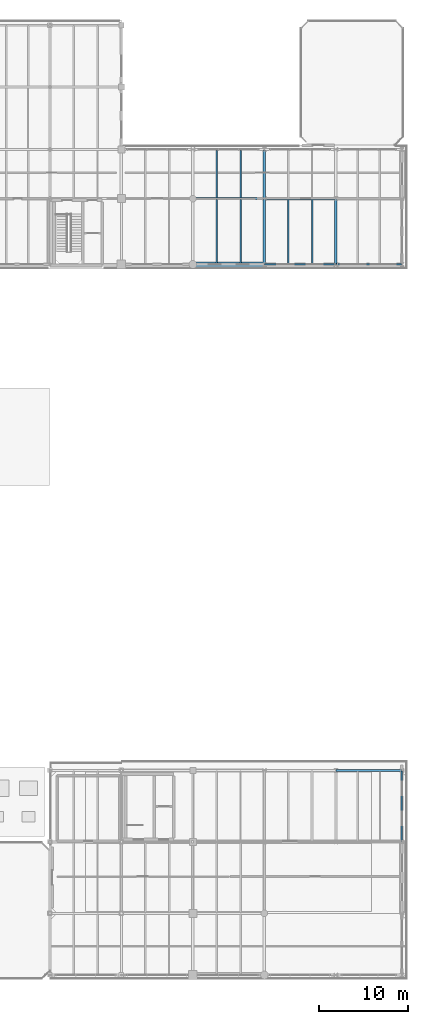
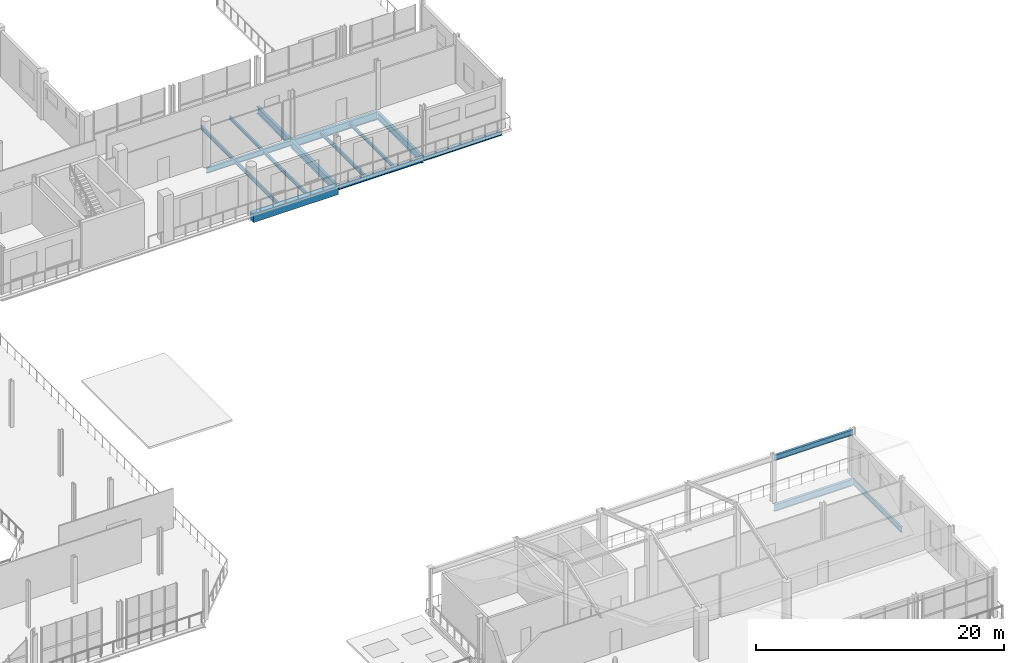
# One storey, part 26 of 51: 17 beams.
"""IFC4 building model written with IfcOpenShell, lengths in metres."""

from ifc_helpers import new_model, si_unit, direction, frame, origin, origin_2d, place, context, subcontext, project, spatial, rectangle, i_section, extrude, material, material_profile, profile_set, type_object, element, save


model = new_model("IFC4")

# Units and contexts
model_context = context("Model", 3, precision=1e-05, world=origin(), true_north=direction((0.0, 1.0)))
body_context = subcontext(model_context, "Body", "Model", "MODEL_VIEW")
ifc_project = project(units=[si_unit("LENGTHUNIT", "METRE"), si_unit("AREAUNIT", "SQUARE_METRE"), si_unit("VOLUMEUNIT", "CUBIC_METRE"), si_unit("PLANEANGLEUNIT", "RADIAN"), si_unit("MASSUNIT", "GRAM", prefix="KILO")], contexts=[model_context])

# Site, building, storey
site_placement = place(None, origin())
site = spatial("IfcSite", under=ifc_project, at=site_placement, CompositionType="ELEMENT")
building_placement = place(site_placement, origin())
building = spatial("IfcBuilding", under=site, at=building_placement, Name="Brisemont Oceanarium", CompositionType="ELEMENT")
storey_placement = place(building_placement, frame((0.0, 0.0, 15.0)))
storey = spatial("IfcBuildingStorey", under=building, at=storey_placement, Name="L03", CompositionType="ELEMENT", Elevation=15.0)

# Beams
ifc_material_1 = material(Name="Concrete C40/50", Category="concrete")
ifc_material_profile_1 = material_profile(ifc_material_1, rectangle(XDim=0.550048828125, YDim=0.800048828125, at=origin_2d()), Name="RC-BM-550X800")
ifc_profile_set_1 = profile_set([ifc_material_profile_1], Name="Concrete C40/50")
beam_type_1 = type_object("IfcBeamType", Name="BM-RC550X800", PredefinedType="SPANDREL", material=ifc_profile_set_1)
beam_1_placement = place(storey_placement, frame((136.0400390625, 80.64990234375, -0.659912109375), z_axis=(1.0, 0.0, 0.0), x_axis=(0.0, 1.0, 0.0)))
element("IfcBeam", 1, at=beam_1_placement, inside=storey, type_object=beam_type_1, Name="V6 L03 EW girder", PredefinedType="SPANDREL", context=body_context, shape_type="SweptSolid", body=[
    extrude(rectangle(XDim=0.550048828125, YDim=0.800048828125, at=origin_2d()), origin(), (0.0, 0.0, 1.0), 7.919921875),
])
ifc_material_2 = material(Name="Structural Steel ASTM A992 Gr.50", Category="steel")
ifc_material_profile_2 = material_profile(ifc_material_2, i_section(OverallWidth=0.1650390625, OverallDepth=0.31005859375, WebThickness=0.005859375, FlangeThickness=0.009765625, FilletRadius=0.008056640625, at=origin_2d()), Name="W12X26")
ifc_profile_set_2 = profile_set([ifc_material_profile_2], Name="Structural Steel ASTM A992 Gr.50")
beam_type_2 = type_object("IfcBeamType", Name="BM-W12X26", PredefinedType="JOIST", material=ifc_profile_set_2)
beam_2_placement = place(storey_placement, frame((141.333251953125, 88.090087890625, -0.4150390625), z_axis=(0.0, 1.0, 0.0), x_axis=(-1.0, 0.0, 0.0)))
element("IfcBeam", 2, at=beam_2_placement, inside=storey, type_object=beam_type_2, Name="V6 L03 secondary floor beam", PredefinedType="JOIST", context=body_context, shape_type="SweptSolid", body=[
    extrude(i_section(OverallWidth=0.1650390625, OverallDepth=0.31005859375, WebThickness=0.005859375, FlangeThickness=0.009765625, FilletRadius=0.008056640625, at=origin_2d()), origin(), (0.0, 0.0, 1.0), 5.31982421875),
])
beam_3_placement = place(storey_placement, frame((149.333251953125, 80.68994140625, -0.4150390625), z_axis=(0.0, 1.0, 0.0), x_axis=(-1.0, 0.0, 0.0)))
element("IfcBeam", 3, at=beam_3_placement, inside=storey, type_object=beam_type_2, Name="V6 L03 secondary floor beam", PredefinedType="JOIST", context=body_context, shape_type="SweptSolid", body=[
    extrude(i_section(OverallWidth=0.1650390625, OverallDepth=0.31005859375, WebThickness=0.005859375, FlangeThickness=0.009765625, FilletRadius=0.008056640625, at=origin_2d()), origin(), (0.0, 0.0, 1.0), 7.219970703125),
])
ifc_material_3 = material(Name="Structural Steel ASTM A992 Gr.50", Category="steel")
ifc_material_profile_3 = material_profile(ifc_material_3, i_section(OverallWidth=0.1708984375, OverallDepth=0.35107421875, WebThickness=0.0068359375, FlangeThickness=0.009765625, FilletRadius=0.010009765625, at=origin_2d()), Name="W14X30")
ifc_profile_set_3 = profile_set([ifc_material_profile_3], Name="Structural Steel ASTM A992 Gr.50")
beam_type_3 = type_object("IfcBeamType", Name="BM-W14X30", PredefinedType="JOIST", material=ifc_profile_set_3)
beam_4_placement = place(storey_placement, frame((141.333251953125, 80.68994140625, -0.435546875), z_axis=(0.0, 1.0, 0.0), x_axis=(-1.0, 0.0, 0.0)))
element("IfcBeam", 4, at=beam_4_placement, inside=storey, type_object=beam_type_3, Name="V6 L03 secondary floor beam", PredefinedType="JOIST", context=body_context, shape_type="SweptSolid", body=[
    extrude(i_section(OverallWidth=0.1708984375, OverallDepth=0.35107421875, WebThickness=0.0068359375, FlangeThickness=0.009765625, FilletRadius=0.010009765625, at=origin_2d()), origin(), (0.0, 0.0, 1.0), 7.219970703125),
])
beam_5_placement = place(storey_placement, frame((138.666748046875, 88.090087890625, -0.435546875), z_axis=(0.0, 1.0, 0.0), x_axis=(-1.0, 0.0, 0.0)))
element("IfcBeam", 5, at=beam_5_placement, inside=storey, type_object=beam_type_3, Name="V6 L03 secondary floor beam", PredefinedType="JOIST", context=body_context, shape_type="SweptSolid", body=[
    extrude(i_section(OverallWidth=0.1708984375, OverallDepth=0.35107421875, WebThickness=0.0068359375, FlangeThickness=0.009765625, FilletRadius=0.010009765625, at=origin_2d()), origin(), (0.0, 0.0, 1.0), 5.31982421875),
])
beam_6_placement = place(storey_placement, frame((146.666748046875, 80.68994140625, -0.435546875), z_axis=(0.0, 1.0, 0.0), x_axis=(-1.0, 0.0, 0.0)))
element("IfcBeam", 6, at=beam_6_placement, inside=storey, type_object=beam_type_3, Name="V6 L03 secondary floor beam", PredefinedType="JOIST", context=body_context, shape_type="SweptSolid", body=[
    extrude(i_section(OverallWidth=0.1708984375, OverallDepth=0.35107421875, WebThickness=0.0068359375, FlangeThickness=0.009765625, FilletRadius=0.010009765625, at=origin_2d()), origin(), (0.0, 0.0, 1.0), 7.219970703125),
])
ifc_material_4 = material(Name="Structural Steel ASTM A992 Gr.50", Category="steel")
ifc_material_profile_4 = material_profile(ifc_material_4, i_section(OverallWidth=0.139892578125, OverallDepth=0.39892578125, WebThickness=0.00634765625, FlangeThickness=0.0087890625, FilletRadius=0.010009765625, at=origin_2d()), Name="W16X26")
ifc_profile_set_4 = profile_set([ifc_material_profile_4], Name="Structural Steel ASTM A992 Gr.50")
beam_type_4 = type_object("IfcBeamType", Name="BM-W16X26", PredefinedType="JOIST", material=ifc_profile_set_4)
beam_7_placement = place(storey_placement, frame((138.666748046875, 80.68994140625, -0.45947265625), z_axis=(0.0, 1.0, 0.0), x_axis=(-1.0, 0.0, 0.0)))
element("IfcBeam", 7, at=beam_7_placement, inside=storey, type_object=beam_type_4, Name="V6 L03 secondary floor beam", PredefinedType="JOIST", context=body_context, shape_type="SweptSolid", body=[
    extrude(i_section(OverallWidth=0.139892578125, OverallDepth=0.39892578125, WebThickness=0.00634765625, FlangeThickness=0.0087890625, FilletRadius=0.010009765625, at=origin_2d()), origin(), (0.0, 0.0, 1.0), 7.219970703125),
])
ifc_material_5 = material(Name="Structural Steel ASTM A992 Gr.50", Category="steel")
ifc_material_profile_5 = material_profile(ifc_material_5, i_section(OverallWidth=0.19091796875, OverallDepth=0.4599609375, WebThickness=0.010009765625, FlangeThickness=0.01611328125, FilletRadius=0.010986328125, at=origin_2d()), Name="W18X55")
ifc_profile_set_5 = profile_set([ifc_material_profile_5], Name="Structural Steel ASTM A992 Gr.50")
beam_type_5 = type_object("IfcBeamType", Name="BM-W18X55", PredefinedType="SPANDREL", material=ifc_profile_set_5)
beam_8_placement = place(storey_placement, frame((152.0400390625, 80.64990234375, -0.489990234375), z_axis=(1.0, 0.0, 0.0), x_axis=(0.0, 1.0, 0.0)))
element("IfcBeam", 8, at=beam_8_placement, inside=storey, type_object=beam_type_5, Name="V6 L03 EW girder", PredefinedType="SPANDREL", context=body_context, shape_type="SweptSolid", body=[
    extrude(i_section(OverallWidth=0.19091796875, OverallDepth=0.4599609375, WebThickness=0.010009765625, FlangeThickness=0.01611328125, FilletRadius=0.010986328125, at=origin_2d()), origin(), (0.0, 0.0, 1.0), 7.320068359375),
])
ifc_material_6 = material(Name="Structural Steel ASTM A992 Gr.50", Category="steel")
ifc_material_profile_6 = material_profile(ifc_material_6, i_section(OverallWidth=0.166015625, OverallDepth=0.528076171875, WebThickness=0.009765625, FlangeThickness=0.013671875, FilletRadius=0.012939453125, at=origin_2d()), Name="W21X50")
ifc_profile_set_6 = profile_set([ifc_material_profile_6], Name="Structural Steel ASTM A992 Gr.50")
beam_type_6 = type_object("IfcBeamType", Name="BM-W21X50", PredefinedType="SPANDREL", material=ifc_profile_set_6)
for number, where, z_axis, x_axis, name in (
    (9, (159.39990234375, 16.0400390625, -0.50390625), (0.0, 1.0, 0.0), (-1.0, 0.0, 0.0), "V3 L03 NS girder"),
    (10, (144.0400390625, 80.64990234375, -0.52392578125), (1.0, 0.0, 0.0), (0.0, 1.0, 0.0), "V6 L03 EW girder"),
):
    element("IfcBeam", number, at=place(storey_placement, frame(where, z_axis=z_axis, x_axis=x_axis)), inside=storey, type_object=beam_type_6, Name=name, PredefinedType="SPANDREL", context=body_context, shape_type="SweptSolid", body=[
        extrude(i_section(OverallWidth=0.166015625, OverallDepth=0.528076171875, WebThickness=0.009765625, FlangeThickness=0.013671875, FilletRadius=0.012939453125, at=origin_2d()), origin(), (0.0, 0.0, 1.0), 7.919921875),
    ])
ifc_material_7 = material(Name="Structural Steel ASTM A992 Gr.50", Category="steel")
ifc_material_profile_7 = material_profile(ifc_material_7, i_section(OverallWidth=0.2099609375, OverallDepth=0.532958984375, WebThickness=0.01025390625, FlangeThickness=0.015625, FilletRadius=0.012939453125, at=origin_2d()), Name="W21X62")
ifc_profile_set_7 = profile_set([ifc_material_profile_7], Name="Structural Steel ASTM A992 Gr.50")
beam_type_7 = type_object("IfcBeamType", Name="BM-W21X62", PredefinedType="BEAM", material=ifc_profile_set_7)
beam_9_placement = place(storey_placement, frame((152.0400390625, 24.0, 4.33349609375), z_axis=(1.0, 0.0, 0.0), x_axis=(0.0, 1.0, 0.0)))
element("IfcBeam", 11, at=beam_9_placement, inside=storey, type_object=beam_type_7, Name="V3 roof eave girder", PredefinedType="BEAM", context=body_context, shape_type="SweptSolid", body=[
    extrude(i_section(OverallWidth=0.2099609375, OverallDepth=0.532958984375, WebThickness=0.01025390625, FlangeThickness=0.015625, FilletRadius=0.012939453125, at=origin_2d()), origin(), (0.0, 0.0, 1.0), 7.320068359375),
])
beam_10_placement = place(storey_placement, frame((136.0400390625, 88.0, -0.526611328125), z_axis=(1.0, 0.0, 0.0), x_axis=(0.0, 1.0, 0.0)))
element("IfcBeam", 12, at=beam_10_placement, inside=storey, type_object=beam_type_7, Name="V6 L03 EW girder", PredefinedType="BEAM", context=body_context, shape_type="SweptSolid", body=[
    extrude(i_section(OverallWidth=0.2099609375, OverallDepth=0.532958984375, WebThickness=0.01025390625, FlangeThickness=0.015625, FilletRadius=0.012939453125, at=origin_2d()), origin(), (0.0, 0.0, 1.0), 7.919921875),
])
ifc_material_8 = material(Name="Structural Steel ASTM A992 Gr.50", Category="steel")
ifc_material_profile_8 = material_profile(ifc_material_8, i_section(OverallWidth=0.2529296875, OverallDepth=0.677978515625, WebThickness=0.01171875, FlangeThickness=0.016357421875, FilletRadius=0.014892578125, at=origin_2d()), Name="W27X84")
ifc_profile_set_8 = profile_set([ifc_material_profile_8], Name="Structural Steel ASTM A992 Gr.50")
beam_type_8 = type_object("IfcBeamType", Name="BM-W27X84", PredefinedType="BEAM", material=ifc_profile_set_8)
beam_11_placement = place(storey_placement, frame((152.0400390625, 24.0, -0.5791015625), z_axis=(1.0, 0.0, 0.0), x_axis=(0.0, 1.0, 0.0)))
element("IfcBeam", 13, at=beam_11_placement, inside=storey, type_object=beam_type_8, Name="V3 L03 EW girder", PredefinedType="BEAM", context=body_context, shape_type="SweptSolid", body=[
    extrude(i_section(OverallWidth=0.2529296875, OverallDepth=0.677978515625, WebThickness=0.01171875, FlangeThickness=0.016357421875, FilletRadius=0.014892578125, at=origin_2d()), origin(), (0.0, 0.0, 1.0), 7.320068359375),
])
ifc_material_9 = material(Name="Structural Steel ASTM A992 Gr.50", Category="steel")
ifc_material_profile_9 = material_profile(ifc_material_9, i_section(OverallWidth=0.25390625, OverallDepth=0.68310546875, WebThickness=0.012451171875, FlangeThickness=0.018798828125, FilletRadius=0.014892578125, at=origin_2d()), Name="W27X94")
ifc_profile_set_9 = profile_set([ifc_material_profile_9], Name="Structural Steel ASTM A992 Gr.50")
beam_type_9 = type_object("IfcBeamType", Name="BM-W27X94", PredefinedType="BEAM", material=ifc_profile_set_9)
beam_12_placement = place(storey_placement, frame((144.0, 88.0400390625, -0.6015625), z_axis=(0.0, 1.0, 0.0), x_axis=(-1.0, 0.0, 0.0)))
element("IfcBeam", 14, at=beam_12_placement, inside=storey, type_object=beam_type_9, Name="V6 L03 NS girder", PredefinedType="BEAM", context=body_context, shape_type="SweptSolid", body=[
    extrude(i_section(OverallWidth=0.25390625, OverallDepth=0.68310546875, WebThickness=0.012451171875, FlangeThickness=0.018798828125, FilletRadius=0.014892578125, at=origin_2d()), origin(), (0.0, 0.0, 1.0), 5.419921875),
])
beam_13_placement = place(storey_placement, frame((152.0, 80.68994140625, -0.6015625), z_axis=(0.0, 1.0, 0.0), x_axis=(-1.0, 0.0, 0.0)))
element("IfcBeam", 15, at=beam_13_placement, inside=storey, type_object=beam_type_9, Name="V6 L03 NS girder", PredefinedType="BEAM", context=body_context, shape_type="SweptSolid", body=[
    extrude(i_section(OverallWidth=0.25390625, OverallDepth=0.68310546875, WebThickness=0.012451171875, FlangeThickness=0.018798828125, FilletRadius=0.014892578125, at=origin_2d()), origin(), (0.0, 0.0, 1.0), 7.27001953125),
])
ifc_material_10 = material(Name="Structural Steel ASTM A992 Gr.50", Category="steel")
ifc_material_profile_10 = material_profile(ifc_material_10, i_section(OverallWidth=0.26708984375, OverallDepth=0.761962890625, WebThickness=0.014404296875, FlangeThickness=0.021484375, FilletRadius=0.01611328125, at=origin_2d()), Name="W30X116")
ifc_profile_set_10 = profile_set([ifc_material_profile_10], Name="Structural Steel ASTM A992 Gr.50")
beam_type_10 = type_object("IfcBeamType", Name="BM-W30X116", PredefinedType="BEAM", material=ifc_profile_set_10)
beam_14_placement = place(storey_placement, frame((144.0400390625, 88.0, -0.64111328125), z_axis=(1.0, 0.0, 0.0), x_axis=(0.0, 1.0, 0.0)))
element("IfcBeam", 16, at=beam_14_placement, inside=storey, type_object=beam_type_10, Name="V6 L03 EW girder", PredefinedType="BEAM", context=body_context, shape_type="SweptSolid", body=[
    extrude(i_section(OverallWidth=0.26708984375, OverallDepth=0.761962890625, WebThickness=0.014404296875, FlangeThickness=0.021484375, FilletRadius=0.01611328125, at=origin_2d()), origin(), (0.0, 0.0, 1.0), 7.919921875),
])
ifc_material_11 = material(Name="Structural Steel ASTM A992 Gr.50", Category="steel")
ifc_material_profile_11 = material_profile(ifc_material_11, i_section(OverallWidth=0.264892578125, OverallDepth=0.7529296875, WebThickness=0.01318359375, FlangeThickness=0.01708984375, FilletRadius=0.01611328125, at=origin_2d()), Name="W30X99")
ifc_profile_set_11 = profile_set([ifc_material_profile_11], Name="Structural Steel ASTM A992 Gr.50")
beam_type_11 = type_object("IfcBeamType", Name="BM-W30X99", PredefinedType="BEAM", material=ifc_profile_set_11)
beam_15_placement = place(storey_placement, frame((144.0, 80.68994140625, -0.636474609375), z_axis=(0.0, 1.0, 0.0), x_axis=(-1.0, 0.0, 0.0)))
element("IfcBeam", 17, at=beam_15_placement, inside=storey, type_object=beam_type_11, Name="V6 L03 NS girder", PredefinedType="BEAM", context=body_context, shape_type="SweptSolid", body=[
    extrude(i_section(OverallWidth=0.264892578125, OverallDepth=0.7529296875, WebThickness=0.01318359375, FlangeThickness=0.01708984375, FilletRadius=0.01611328125, at=origin_2d()), origin(), (0.0, 0.0, 1.0), 7.27001953125),
])

save(model, "model.ifc")
